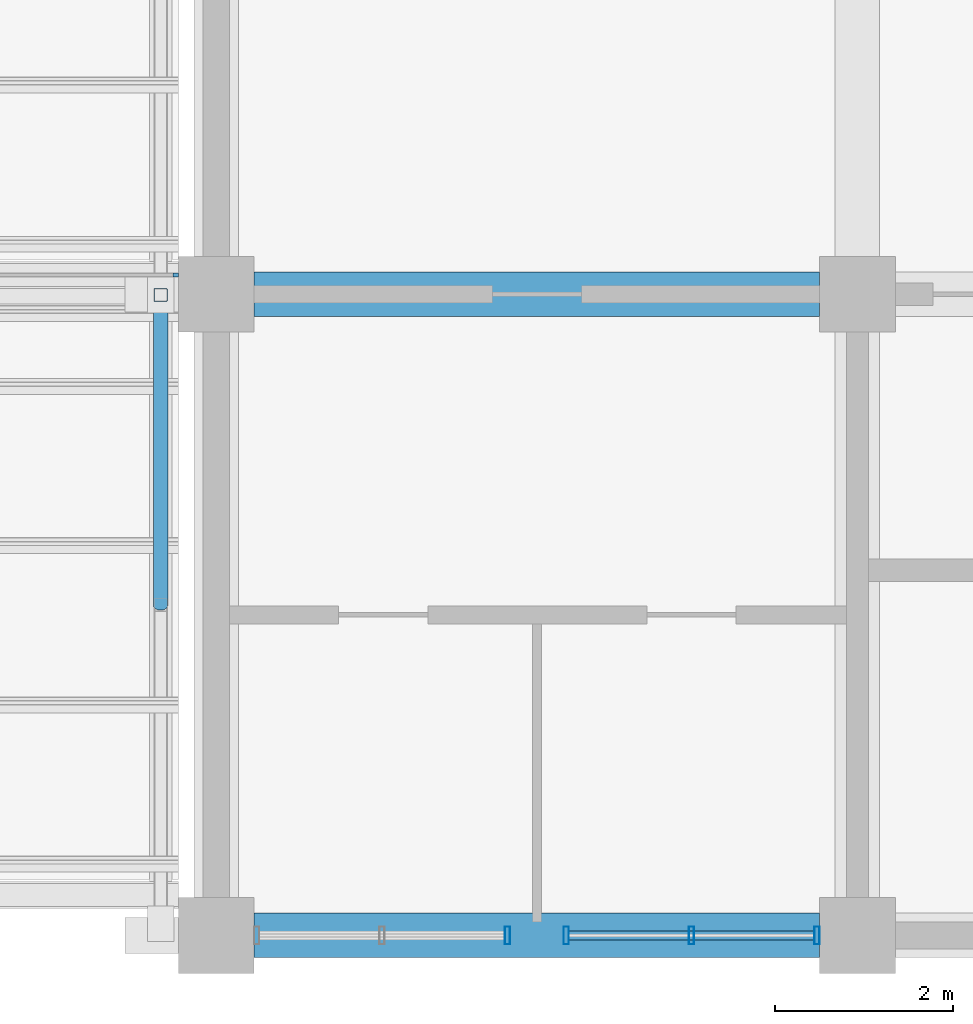
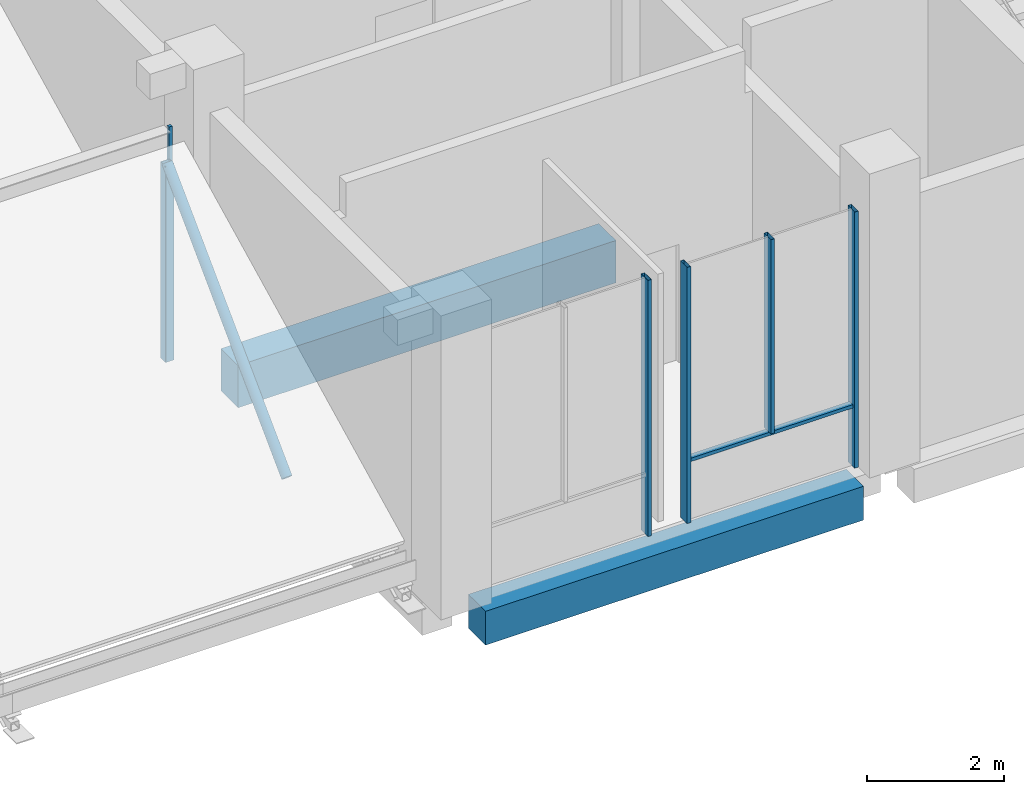
# One storey, part 44 of 83: 8 members, 2 beams, 3 elements without a shape of their own.
"""IFC4 building model written with IfcOpenShell, lengths in metres."""

from ifc_helpers import new_model, si_unit, direction, frame, origin, origin_2d, place, context, subcontext, project, spatial, rectangle, hollow_rectangle, hollow_circle, extrude, material, material_profile, profile_set, type_object, element, aggregate, save


model = new_model("IFC4")

# Units and contexts
model_context = context("Model", 3, precision=1e-05, world=origin(), true_north=direction((0.0, 1.0)))
body_context = subcontext(model_context, "Body", "Model", "MODEL_VIEW")
ifc_project = project(units=[si_unit("LENGTHUNIT", "METRE"), si_unit("AREAUNIT", "SQUARE_METRE"), si_unit("VOLUMEUNIT", "CUBIC_METRE"), si_unit("PLANEANGLEUNIT", "RADIAN"), si_unit("MASSUNIT", "GRAM", prefix="KILO")], contexts=[model_context])

# Site, building, storey
site_placement = place(None, origin())
site = spatial("IfcSite", under=ifc_project, at=site_placement, CompositionType="ELEMENT")
building_placement = place(site_placement, origin())
building = spatial("IfcBuilding", under=site, at=building_placement, Name="Silangan Lancet Faculty of Sciences", CompositionType="ELEMENT")
storey_placement = place(building_placement, frame((0.0, 0.0, 11.39990234375)))
storey = spatial("IfcBuildingStorey", under=building, at=storey_placement, Name="L02", CompositionType="ELEMENT", Elevation=11.39990234375)

# Beams
ifc_material_1 = material(Name="Concrete C40/50", Category="concrete")
ifc_material_profile_1 = material_profile(ifc_material_1, rectangle(XDim=0.5, YDim=0.60009765625, at=origin_2d()), Name="RC 500x600")
ifc_profile_set_1 = profile_set([ifc_material_profile_1], Name="Concrete C40/50")
beam_type_1 = type_object("IfcBeamType", Name="BEAM RC 500x600", PredefinedType="BEAM", material=ifc_profile_set_1)
beam_1_placement = place(storey_placement, frame((72.425048828125, 0.0, -0.5498046875), z_axis=(1.0, 0.0, 0.0), x_axis=(0.0, 1.0, 0.0)))
element("IfcBeam", 1, at=beam_1_placement, inside=storey, type_object=beam_type_1, Name="BM-L02-11A-12A", PredefinedType="BEAM", context=body_context, shape_type="SweptSolid", body=[
    extrude(rectangle(XDim=0.5, YDim=0.60009765625, at=origin_2d()), origin(), (0.0, 0.0, 1.0), 6.349853515625),
])
ifc_material_2 = material(Name="Concrete C40/50", Category="concrete")
ifc_material_profile_2 = material_profile(ifc_material_2, rectangle(XDim=0.5, YDim=0.75, at=origin_2d()), Name="RC 500x750")
ifc_profile_set_2 = profile_set([ifc_material_profile_2], Name="Concrete C40/50")
beam_type_2 = type_object("IfcBeamType", Name="BEAM RC 500x750", PredefinedType="BEAM", material=ifc_profile_set_2)
beam_2_placement = place(storey_placement, frame((72.425048828125, 7.199951171875, -0.625), z_axis=(1.0, 0.0, 0.0), x_axis=(0.0, 1.0, 0.0)))
element("IfcBeam", 2, at=beam_2_placement, inside=storey, type_object=beam_type_2, Name="BM-L02-11B-12B", PredefinedType="BEAM", context=body_context, shape_type="SweptSolid", body=[
    extrude(rectangle(XDim=0.5, YDim=0.75, at=origin_2d()), origin(), (0.0, 0.0, 1.0), 6.349853515625),
])

# Curtain wall, member
ifc_material_3 = material(Name="Aluminium framed curtain wall with insulated glass", Category="aluminium")
curtain_wall_type_1 = type_object("IfcCurtainWallType", Name="CW1 Commons and east block glazing", PredefinedType="NOTDEFINED", material=ifc_material_3)
curtain_wall_1_placement = place(storey_placement, origin())
curtain_wall_1 = element("IfcCurtainWall", 3, at=curtain_wall_1_placement, inside=storey, type_object=curtain_wall_type_1, Name="CW1 East block south L02 bay 1", PredefinedType="NOTDEFINED")
ifc_material_4 = material(Name="Aluminium 6063-T6 extrusion", Category="aluminium")
ifc_material_profile_3 = material_profile(ifc_material_4, hollow_rectangle(XDim=0.06005859375, YDim=0.199951171875, WallThickness=0.00390625, at=origin_2d()), Name="AL BOX 60x200x4")
ifc_profile_set_3 = profile_set([ifc_material_profile_3], Name="Aluminium 6063-T6 extrusion")
member_type_1 = type_object("IfcMemberType", Name="CM1 Mullion 60x200", PredefinedType="MULLION", material=ifc_profile_set_3)
member_1_placement = place(storey_placement, frame((75.27001953125, 0.0, 0.0), z_axis=(0.0, 0.0, 1.0), x_axis=(1.0, 0.0, 0.0)))
member_1 = element("IfcMember", 4, at=member_1_placement, type_object=member_type_1, Name="CW1 East block south L02 bay 1 mullion 2", PredefinedType="MULLION", context=body_context, shape_type="SweptSolid", body=[
    extrude(hollow_rectangle(XDim=0.06005859375, YDim=0.199951171875, WallThickness=0.00390625, at=origin_2d()), origin(), (0.0, 0.0, 1.0), 4.550048828125),
])
aggregate(curtain_wall_1, [member_1])

# Curtain wall, members
curtain_wall_2_placement = place(storey_placement, origin())
curtain_wall_2 = element("IfcCurtainWall", 5, at=curtain_wall_2_placement, inside=storey, type_object=curtain_wall_type_1, Name="CW1 East block south L02 bay 2", PredefinedType="NOTDEFINED")
member_2_placement = place(storey_placement, frame((75.93017578125, 0.0, 0.0), z_axis=(0.0, 0.0, 1.0), x_axis=(1.0, 0.0, 0.0)))
member_2 = element("IfcMember", 6, at=member_2_placement, type_object=member_type_1, Name="CW1 East block south L02 bay 2 mullion 1", PredefinedType="MULLION", context=body_context, shape_type="SweptSolid", body=[
    extrude(hollow_rectangle(XDim=0.06005859375, YDim=0.199951171875, WallThickness=0.00390625, at=origin_2d()), origin(), (0.0, 0.0, 1.0), 4.550048828125),
])
member_3_placement = place(storey_placement, frame((78.7451171875, 0.0, 0.0), z_axis=(0.0, 0.0, 1.0), x_axis=(1.0, 0.0, 0.0)))
member_3 = element("IfcMember", 7, at=member_3_placement, type_object=member_type_1, Name="CW1 East block south L02 bay 2 mullion 2", PredefinedType="MULLION", context=body_context, shape_type="SweptSolid", body=[
    extrude(hollow_rectangle(XDim=0.06005859375, YDim=0.199951171875, WallThickness=0.00390625, at=origin_2d()), origin(), (0.0, 0.0, 1.0), 4.550048828125),
])
member_4_placement = place(storey_placement, frame((77.337646484375, 0.0, 1.10009765625), z_axis=(0.0, 0.0, 1.0), x_axis=(1.0, 0.0, 0.0)))
member_4 = element("IfcMember", 8, at=member_4_placement, type_object=member_type_1, Name="CW1 East block south L02 bay 2 mullion 3", PredefinedType="MULLION", context=body_context, shape_type="SweptSolid", body=[
    extrude(hollow_rectangle(XDim=0.06005859375, YDim=0.199951171875, WallThickness=0.00390625, at=origin_2d()), origin(), (0.0, 0.0, 1.0), 3.449951171875),
])
ifc_material_5 = material(Name="Aluminium 6063-T6 extrusion", Category="aluminium")
ifc_material_profile_4 = material_profile(ifc_material_5, hollow_rectangle(XDim=0.10009765625, YDim=0.06005859375, WallThickness=0.0029296875, at=origin_2d()), Name="AL BOX 100x60x3")
ifc_profile_set_4 = profile_set([ifc_material_profile_4], Name="Aluminium 6063-T6 extrusion")
member_type_2 = type_object("IfcMemberType", Name="CT1 Transom 100x60", PredefinedType="USERDEFINED", material=ifc_profile_set_4)
member_5_placement = place(storey_placement, frame((75.960205078125, 0.0, 1.070068359375), z_axis=(1.0, 0.0, 0.0), x_axis=(0.0, 1.0, 0.0)))
member_5 = element("IfcMember", 9, at=member_5_placement, type_object=member_type_2, Name="CW1 East block south L02 bay 2 transom 1", ObjectType="TRANSOM", PredefinedType="USERDEFINED", context=body_context, shape_type="SweptSolid", body=[
    extrude(hollow_rectangle(XDim=0.10009765625, YDim=0.06005859375, WallThickness=0.0029296875, at=origin_2d()), origin(), (0.0, 0.0, 1.0), 2.7548828125),
])
aggregate(curtain_wall_2, [member_2, member_3, member_4, member_5])

# Curtain wall, member
ifc_material_6 = material(Name="Aluminium and laminated glass", Category="aluminium")
curtain_wall_type_2 = type_object("IfcCurtainWallType", Name="North light glazing system", PredefinedType="NOTDEFINED", material=ifc_material_6)
curtain_wall_3_placement = place(storey_placement, origin())
curtain_wall_3 = element("IfcCurtainWall", 10, at=curtain_wall_3_placement, inside=storey, type_object=curtain_wall_type_2, Name="North light glazing SAB-1-6", PredefinedType="NOTDEFINED")
ifc_material_7 = material(Name="Aluminium 6063-T6", Category="aluminium")
ifc_material_profile_5 = material_profile(ifc_material_7, rectangle(XDim=0.06005859375, YDim=0.050048828125, at=origin_2d()), Name="AL 60x50")
ifc_profile_set_5 = profile_set([ifc_material_profile_5], Name="Aluminium 6063-T6")
member_type_3 = type_object("IfcMemberType", Name="North light mullion 60x50", PredefinedType="MULLION", material=ifc_profile_set_5)
member_6_placement = place(storey_placement, frame((71.544921875, 7.416748046875, 0.4423828125), z_axis=(0.0, 0.0, 1.0), x_axis=(1.0, 0.0, 0.0)))
member_6 = element("IfcMember", 11, at=member_6_placement, type_object=member_type_3, Name="North light mullion SAB-1-6 4", PredefinedType="MULLION", context=body_context, shape_type="SweptSolid", body=[
    extrude(rectangle(XDim=0.06005859375, YDim=0.050048828125, at=origin_2d()), origin(), (0.0, 0.0, 1.0), 3.595947265625),
])
aggregate(curtain_wall_3, [member_6])

# Members
ifc_material_8 = material(Name="Steel STK400", Category="steel")
ifc_material_profile_6 = material_profile(ifc_material_8, hollow_circle(Radius=0.08251953125, WallThickness=0.0048828125, at=origin_2d()), Name="CHS 165.2x5.0")
ifc_profile_set_6 = profile_set([ifc_material_profile_6], Name="Steel STK400")
member_type_4 = type_object("IfcMemberType", Name="Truss diagonal CHS 165.2x5.0", PredefinedType="BRACE", material=ifc_profile_set_6)
member_7_placement = place(storey_placement, frame((71.375, 3.710693359375, 0.09521484375), z_axis=(0.0, 0.707131578465, 0.707081983039), x_axis=(-1.0, 0.0, 0.0)))
element("IfcMember", 12, at=member_7_placement, inside=storey, type_object=member_type_4, Name="Truss 7 diagonal 1", PredefinedType="BRACE", context=body_context, shape_type="SweptSolid", body=[
    extrude(hollow_circle(Radius=0.08251953125, WallThickness=0.0048828125, at=origin_2d()), origin(), (0.0, 0.0, 1.0), 4.922607421875),
])
ifc_material_9 = material(Name="Steel STKR400", Category="steel")
ifc_material_profile_7 = material_profile(ifc_material_9, hollow_rectangle(XDim=0.14990234375, YDim=0.14990234375, WallThickness=0.006103515625, InnerFilletRadius=0.006103515625, OuterFilletRadius=0.011962890625, at=origin_2d()), Name="SHS 150x150x6.0")
ifc_profile_set_7 = profile_set([ifc_material_profile_7], Name="Steel STKR400")
member_type_5 = type_object("IfcMemberType", Name="Truss post SHS 150x150x6.0", PredefinedType="POST", material=ifc_profile_set_7)
member_8_placement = place(storey_placement, frame((71.375, 7.191650390625, 0.09521484375), z_axis=(0.0, 0.0, 1.0), x_axis=(1.0, 0.0, 0.0)))
element("IfcMember", 13, at=member_8_placement, inside=storey, type_object=member_type_5, Name="Truss 7 riser post 1", PredefinedType="POST", context=body_context, shape_type="SweptSolid", body=[
    extrude(hollow_rectangle(XDim=0.14990234375, YDim=0.14990234375, WallThickness=0.006103515625, InnerFilletRadius=0.006103515625, OuterFilletRadius=0.011962890625, at=origin_2d()), origin(), (0.0, 0.0, 1.0), 3.480712890625),
])

save(model, "model.ifc")
